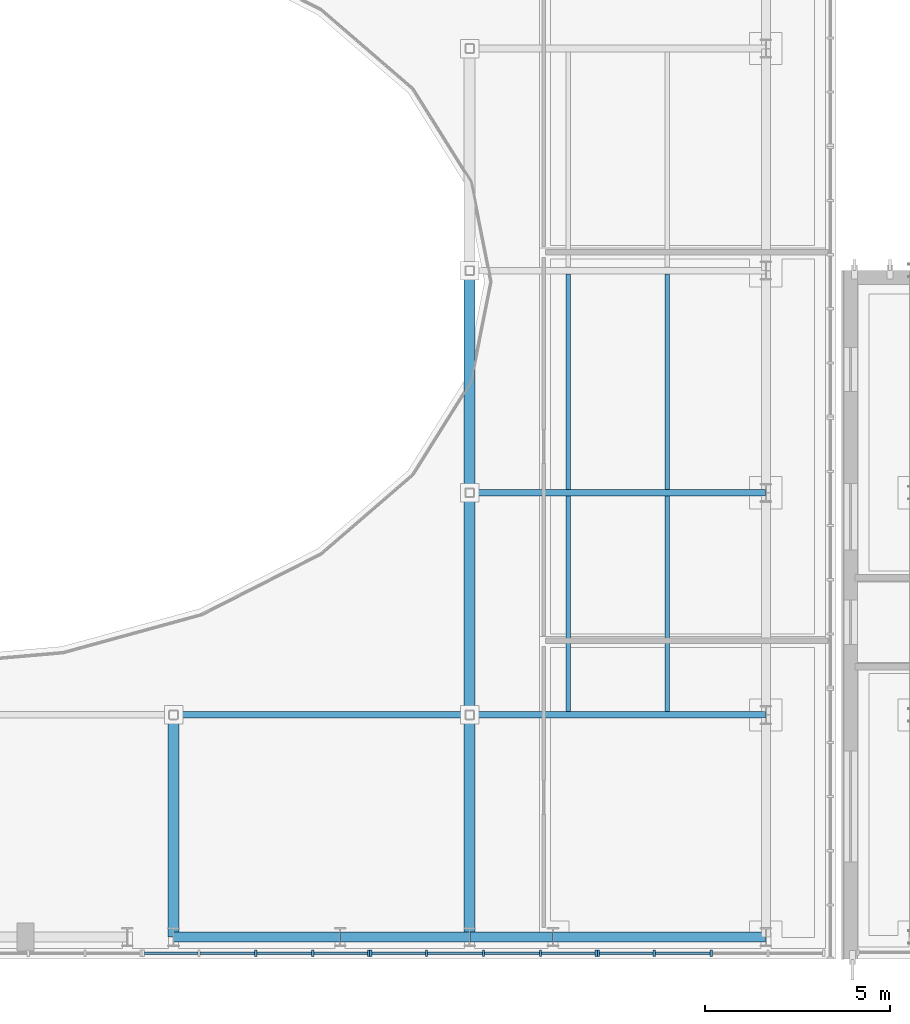
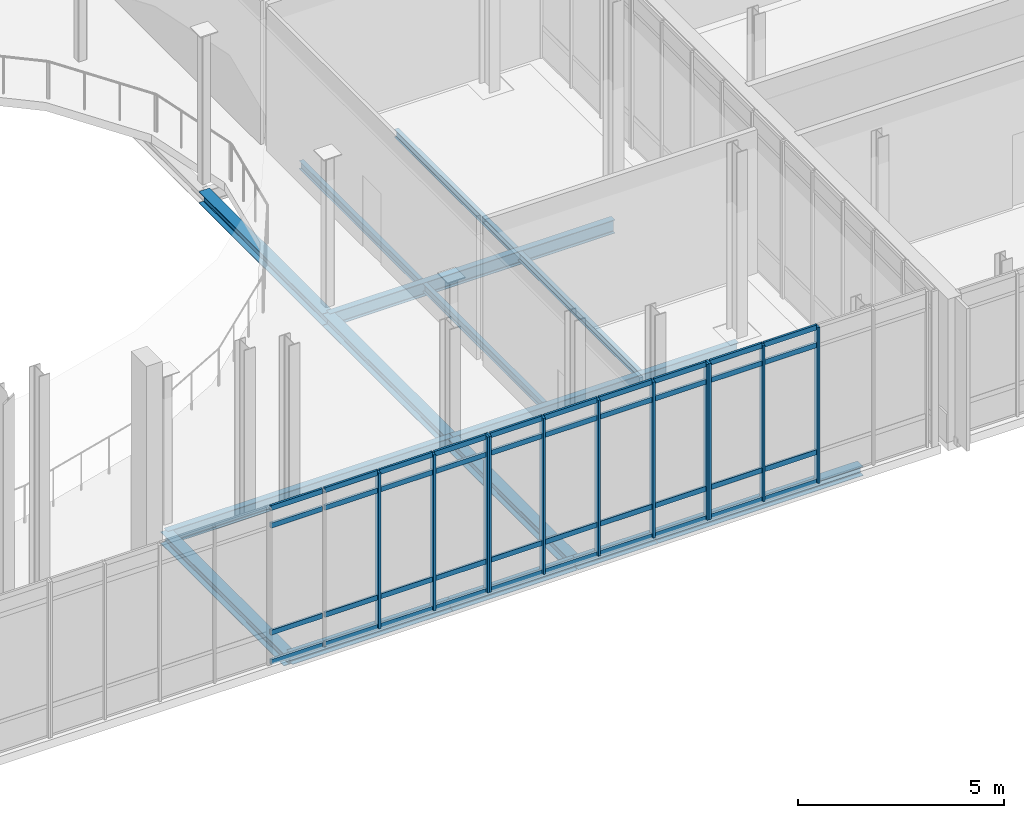
# One storey, part 23 of 86: 51 members, 15 beams, 3 elements without a shape of their own.
"""IFC4 building model written with IfcOpenShell, lengths in metres."""

from ifc_helpers import new_model, si_unit, direction, frame, origin, origin_2d, place, context, subcontext, project, spatial, rectangle, i_section, extrude, material, material_profile, profile_set, type_object, element, aggregate, save


model = new_model("IFC4")

# Units and contexts
model_context = context("Model", 3, precision=1e-05, world=origin(), true_north=direction((0.0, 1.0)))
body_context = subcontext(model_context, "Body", "Model", "MODEL_VIEW")
ifc_project = project(units=[si_unit("LENGTHUNIT", "METRE"), si_unit("AREAUNIT", "SQUARE_METRE"), si_unit("VOLUMEUNIT", "CUBIC_METRE"), si_unit("PLANEANGLEUNIT", "RADIAN"), si_unit("MASSUNIT", "GRAM", prefix="KILO")], contexts=[model_context])

# Site, building, storey
site_placement = place(None, origin())
site = spatial("IfcSite", under=ifc_project, at=site_placement, CompositionType="ELEMENT")
building_placement = place(site_placement, origin())
building = spatial("IfcBuilding", under=site, at=building_placement, Name="Cymarion Research Institute", CompositionType="ELEMENT")
storey_placement = place(building_placement, frame((0.0, 0.0, 13.800048828125)))
storey = spatial("IfcBuildingStorey", under=building, at=storey_placement, Name="L03", CompositionType="ELEMENT", Elevation=13.800048828125)

# Curtain wall, members
ifc_material_1 = material(Name="Anodised aluminium unitised curtain wall with Low-E glazing", Category="aluminium")
curtain_wall_type = type_object("IfcCurtainWallType", Name="UNITISED CURTAIN WALL CW27 6150X4620", PredefinedType="NOTDEFINED", material=ifc_material_1)
curtain_wall_1_placement = place(storey_placement, origin())
curtain_wall_1 = element("IfcCurtainWall", 1, at=curtain_wall_1_placement, inside=storey, type_object=curtain_wall_type, Name="L03 V2 unitised curtain wall CW27 #134", PredefinedType="NOTDEFINED")
ifc_material_2 = material(Name="Anodised aluminium framing", Category="aluminium")
ifc_material_profile_1 = material_profile(ifc_material_2, rectangle(XDim=0.06005859375, YDim=0.179931640625, at=origin_2d()), Name="ALU MULLION 60x180")
ifc_profile_set_1 = profile_set([ifc_material_profile_1], Name="Anodised aluminium framing")
member_type_1 = type_object("IfcMemberType", Name="CURTAIN WALL MULLION ML01 60X180", PredefinedType="MULLION", material=ifc_profile_set_1)
member_1_placement = place(storey_placement, frame((88.82421875, 5.06005859375, 0.0), z_axis=(0.0, 0.0, 1.0), x_axis=(1.0, 0.0, 0.0)))
member_1 = element("IfcMember", 2, at=member_1_placement, type_object=member_type_1, Name="CW27 mullion 3", PredefinedType="MULLION", context=body_context, shape_type="SweptSolid", body=[
    extrude(rectangle(XDim=0.06005859375, YDim=0.179931640625, at=origin_2d()), origin(), (0.0, 0.0, 1.0), 4.619873046875),
])
member_2_placement = place(storey_placement, frame((90.361572265625, 5.06005859375, 0.0), z_axis=(0.0, 0.0, 1.0), x_axis=(1.0, 0.0, 0.0)))
member_2 = element("IfcMember", 3, at=member_2_placement, type_object=member_type_1, Name="CW27 mullion 4", PredefinedType="MULLION", context=body_context, shape_type="SweptSolid", body=[
    extrude(rectangle(XDim=0.06005859375, YDim=0.179931640625, at=origin_2d()), origin(), (0.0, 0.0, 1.0), 4.619873046875),
])
member_3_placement = place(storey_placement, frame((91.868896484375, 5.06005859375, 0.0), z_axis=(0.0, 0.0, 1.0), x_axis=(1.0, 0.0, 0.0)))
member_3 = element("IfcMember", 4, at=member_3_placement, type_object=member_type_1, Name="CW27 mullion 5", PredefinedType="MULLION", context=body_context, shape_type="SweptSolid", body=[
    extrude(rectangle(XDim=0.06005859375, YDim=0.179931640625, at=origin_2d()), origin(), (0.0, 0.0, 1.0), 4.619873046875),
])

curtain_wall_2_placement = place(storey_placement, origin())
curtain_wall_2 = element("IfcCurtainWall", 5, at=curtain_wall_2_placement, inside=storey, type_object=curtain_wall_type, Name="L03 V2 unitised curtain wall CW27 #135", PredefinedType="NOTDEFINED")
member_4_placement = place(storey_placement, frame((91.928955078125, 5.06005859375, 0.0), z_axis=(0.0, 0.0, 1.0), x_axis=(1.0, 0.0, 0.0)))
member_4 = element("IfcMember", 6, at=member_4_placement, type_object=member_type_1, Name="CW27 mullion 1", PredefinedType="MULLION", context=body_context, shape_type="SweptSolid", body=[
    extrude(rectangle(XDim=0.06005859375, YDim=0.179931640625, at=origin_2d()), origin(), (0.0, 0.0, 1.0), 4.619873046875),
])
member_5_placement = place(storey_placement, frame((93.436279296875, 5.06005859375, 0.0), z_axis=(0.0, 0.0, 1.0), x_axis=(1.0, 0.0, 0.0)))
member_5 = element("IfcMember", 7, at=member_5_placement, type_object=member_type_1, Name="CW27 mullion 2", PredefinedType="MULLION", context=body_context, shape_type="SweptSolid", body=[
    extrude(rectangle(XDim=0.06005859375, YDim=0.179931640625, at=origin_2d()), origin(), (0.0, 0.0, 1.0), 4.619873046875),
])
member_6_placement = place(storey_placement, frame((94.9736328125, 5.06005859375, 0.0), z_axis=(0.0, 0.0, 1.0), x_axis=(1.0, 0.0, 0.0)))
member_6 = element("IfcMember", 8, at=member_6_placement, type_object=member_type_1, Name="CW27 mullion 3", PredefinedType="MULLION", context=body_context, shape_type="SweptSolid", body=[
    extrude(rectangle(XDim=0.06005859375, YDim=0.179931640625, at=origin_2d()), origin(), (0.0, 0.0, 1.0), 4.619873046875),
])
member_7_placement = place(storey_placement, frame((96.51123046875, 5.06005859375, 0.0), z_axis=(0.0, 0.0, 1.0), x_axis=(1.0, 0.0, 0.0)))
member_7 = element("IfcMember", 9, at=member_7_placement, type_object=member_type_1, Name="CW27 mullion 4", PredefinedType="MULLION", context=body_context, shape_type="SweptSolid", body=[
    extrude(rectangle(XDim=0.06005859375, YDim=0.179931640625, at=origin_2d()), origin(), (0.0, 0.0, 1.0), 4.619873046875),
])
member_8_placement = place(storey_placement, frame((98.0185546875, 5.06005859375, 0.0), z_axis=(0.0, 0.0, 1.0), x_axis=(1.0, 0.0, 0.0)))
member_8 = element("IfcMember", 10, at=member_8_placement, type_object=member_type_1, Name="CW27 mullion 5", PredefinedType="MULLION", context=body_context, shape_type="SweptSolid", body=[
    extrude(rectangle(XDim=0.06005859375, YDim=0.179931640625, at=origin_2d()), origin(), (0.0, 0.0, 1.0), 4.619873046875),
])

curtain_wall_3_placement = place(storey_placement, origin())
curtain_wall_3 = element("IfcCurtainWall", 11, at=curtain_wall_3_placement, inside=storey, type_object=curtain_wall_type, Name="L03 V2 unitised curtain wall CW27 #136", PredefinedType="NOTDEFINED")
member_9_placement = place(storey_placement, frame((98.07861328125, 5.06005859375, 0.0), z_axis=(0.0, 0.0, 1.0), x_axis=(1.0, 0.0, 0.0)))
member_9 = element("IfcMember", 12, at=member_9_placement, type_object=member_type_1, Name="CW27 mullion 1", PredefinedType="MULLION", context=body_context, shape_type="SweptSolid", body=[
    extrude(rectangle(XDim=0.06005859375, YDim=0.179931640625, at=origin_2d()), origin(), (0.0, 0.0, 1.0), 4.619873046875),
])
member_10_placement = place(storey_placement, frame((99.5859375, 5.06005859375, 0.0), z_axis=(0.0, 0.0, 1.0), x_axis=(1.0, 0.0, 0.0)))
member_10 = element("IfcMember", 13, at=member_10_placement, type_object=member_type_1, Name="CW27 mullion 2", PredefinedType="MULLION", context=body_context, shape_type="SweptSolid", body=[
    extrude(rectangle(XDim=0.06005859375, YDim=0.179931640625, at=origin_2d()), origin(), (0.0, 0.0, 1.0), 4.619873046875),
])
member_11_placement = place(storey_placement, frame((101.123291015625, 5.06005859375, 0.0), z_axis=(0.0, 0.0, 1.0), x_axis=(1.0, 0.0, 0.0)))
member_11 = element("IfcMember", 14, at=member_11_placement, type_object=member_type_1, Name="CW27 mullion 3", PredefinedType="MULLION", context=body_context, shape_type="SweptSolid", body=[
    extrude(rectangle(XDim=0.06005859375, YDim=0.179931640625, at=origin_2d()), origin(), (0.0, 0.0, 1.0), 4.619873046875),
])

# Member
ifc_material_profile_2 = material_profile(ifc_material_2, rectangle(XDim=0.06005859375, YDim=0.14990234375, at=origin_2d()), Name="ALU TRANSOM 60x150")
ifc_profile_set_2 = profile_set([ifc_material_profile_2], Name="Anodised aluminium framing")
member_type_2 = type_object("IfcMemberType", Name="CURTAIN WALL TRANSOM TR01 60X150", PredefinedType="USERDEFINED", material=ifc_profile_set_2)
member_12_placement = place(storey_placement, frame((85.8095703125, 5.06005859375, 0.030029296875), z_axis=(1.0, 0.0, 0.0), x_axis=(0.0, 1.0, 0.0)))
member_12 = element("IfcMember", 15, at=member_12_placement, type_object=member_type_2, Name="CW27 transom 1.1", ObjectType="TRANSOM", PredefinedType="USERDEFINED", context=body_context, shape_type="SweptSolid", body=[
    extrude(rectangle(XDim=0.06005859375, YDim=0.14990234375, at=origin_2d()), origin(), (0.0, 0.0, 1.0), 1.447265625),
])

member_13_placement = place(storey_placement, frame((85.8095703125, 5.06005859375, 0.89990234375), z_axis=(1.0, 0.0, 0.0), x_axis=(0.0, 1.0, 0.0)))
member_13 = element("IfcMember", 16, at=member_13_placement, type_object=member_type_2, Name="CW27 transom 1.2", ObjectType="TRANSOM", PredefinedType="USERDEFINED", context=body_context, shape_type="SweptSolid", body=[
    extrude(rectangle(XDim=0.06005859375, YDim=0.14990234375, at=origin_2d()), origin(), (0.0, 0.0, 1.0), 1.447265625),
])

member_14_placement = place(storey_placement, frame((85.8095703125, 5.06005859375, 4.070068359375), z_axis=(1.0, 0.0, 0.0), x_axis=(0.0, 1.0, 0.0)))
member_14 = element("IfcMember", 17, at=member_14_placement, type_object=member_type_2, Name="CW27 transom 1.3", ObjectType="TRANSOM", PredefinedType="USERDEFINED", context=body_context, shape_type="SweptSolid", body=[
    extrude(rectangle(XDim=0.06005859375, YDim=0.14990234375, at=origin_2d()), origin(), (0.0, 0.0, 1.0), 1.447265625),
])

member_15_placement = place(storey_placement, frame((85.8095703125, 5.06005859375, 4.58984375), z_axis=(1.0, 0.0, 0.0), x_axis=(0.0, 1.0, 0.0)))
member_15 = element("IfcMember", 18, at=member_15_placement, type_object=member_type_2, Name="CW27 transom 1.4", ObjectType="TRANSOM", PredefinedType="USERDEFINED", context=body_context, shape_type="SweptSolid", body=[
    extrude(rectangle(XDim=0.06005859375, YDim=0.14990234375, at=origin_2d()), origin(), (0.0, 0.0, 1.0), 1.447265625),
])

member_16_placement = place(storey_placement, frame((87.31689453125, 5.06005859375, 0.030029296875), z_axis=(1.0, 0.0, 0.0), x_axis=(0.0, 1.0, 0.0)))
member_16 = element("IfcMember", 19, at=member_16_placement, type_object=member_type_2, Name="CW27 transom 2.1", ObjectType="TRANSOM", PredefinedType="USERDEFINED", context=body_context, shape_type="SweptSolid", body=[
    extrude(rectangle(XDim=0.06005859375, YDim=0.14990234375, at=origin_2d()), origin(), (0.0, 0.0, 1.0), 1.477294921875),
])

member_17_placement = place(storey_placement, frame((87.31689453125, 5.06005859375, 0.89990234375), z_axis=(1.0, 0.0, 0.0), x_axis=(0.0, 1.0, 0.0)))
member_17 = element("IfcMember", 20, at=member_17_placement, type_object=member_type_2, Name="CW27 transom 2.2", ObjectType="TRANSOM", PredefinedType="USERDEFINED", context=body_context, shape_type="SweptSolid", body=[
    extrude(rectangle(XDim=0.06005859375, YDim=0.14990234375, at=origin_2d()), origin(), (0.0, 0.0, 1.0), 1.477294921875),
])

member_18_placement = place(storey_placement, frame((87.31689453125, 5.06005859375, 4.070068359375), z_axis=(1.0, 0.0, 0.0), x_axis=(0.0, 1.0, 0.0)))
member_18 = element("IfcMember", 21, at=member_18_placement, type_object=member_type_2, Name="CW27 transom 2.3", ObjectType="TRANSOM", PredefinedType="USERDEFINED", context=body_context, shape_type="SweptSolid", body=[
    extrude(rectangle(XDim=0.06005859375, YDim=0.14990234375, at=origin_2d()), origin(), (0.0, 0.0, 1.0), 1.477294921875),
])

member_19_placement = place(storey_placement, frame((87.31689453125, 5.06005859375, 4.58984375), z_axis=(1.0, 0.0, 0.0), x_axis=(0.0, 1.0, 0.0)))
member_19 = element("IfcMember", 22, at=member_19_placement, type_object=member_type_2, Name="CW27 transom 2.4", ObjectType="TRANSOM", PredefinedType="USERDEFINED", context=body_context, shape_type="SweptSolid", body=[
    extrude(rectangle(XDim=0.06005859375, YDim=0.14990234375, at=origin_2d()), origin(), (0.0, 0.0, 1.0), 1.477294921875),
])

member_20_placement = place(storey_placement, frame((88.854248046875, 5.06005859375, 0.030029296875), z_axis=(1.0, 0.0, 0.0), x_axis=(0.0, 1.0, 0.0)))
member_20 = element("IfcMember", 23, at=member_20_placement, type_object=member_type_2, Name="CW27 transom 3.1", ObjectType="TRANSOM", PredefinedType="USERDEFINED", context=body_context, shape_type="SweptSolid", body=[
    extrude(rectangle(XDim=0.06005859375, YDim=0.14990234375, at=origin_2d()), origin(), (0.0, 0.0, 1.0), 1.477294921875),
])

member_21_placement = place(storey_placement, frame((88.854248046875, 5.06005859375, 0.89990234375), z_axis=(1.0, 0.0, 0.0), x_axis=(0.0, 1.0, 0.0)))
member_21 = element("IfcMember", 24, at=member_21_placement, type_object=member_type_2, Name="CW27 transom 3.2", ObjectType="TRANSOM", PredefinedType="USERDEFINED", context=body_context, shape_type="SweptSolid", body=[
    extrude(rectangle(XDim=0.06005859375, YDim=0.14990234375, at=origin_2d()), origin(), (0.0, 0.0, 1.0), 1.477294921875),
])

member_22_placement = place(storey_placement, frame((88.854248046875, 5.06005859375, 4.070068359375), z_axis=(1.0, 0.0, 0.0), x_axis=(0.0, 1.0, 0.0)))
member_22 = element("IfcMember", 25, at=member_22_placement, type_object=member_type_2, Name="CW27 transom 3.3", ObjectType="TRANSOM", PredefinedType="USERDEFINED", context=body_context, shape_type="SweptSolid", body=[
    extrude(rectangle(XDim=0.06005859375, YDim=0.14990234375, at=origin_2d()), origin(), (0.0, 0.0, 1.0), 1.477294921875),
])

member_23_placement = place(storey_placement, frame((88.854248046875, 5.06005859375, 4.58984375), z_axis=(1.0, 0.0, 0.0), x_axis=(0.0, 1.0, 0.0)))
member_23 = element("IfcMember", 26, at=member_23_placement, type_object=member_type_2, Name="CW27 transom 3.4", ObjectType="TRANSOM", PredefinedType="USERDEFINED", context=body_context, shape_type="SweptSolid", body=[
    extrude(rectangle(XDim=0.06005859375, YDim=0.14990234375, at=origin_2d()), origin(), (0.0, 0.0, 1.0), 1.477294921875),
])

member_24_placement = place(storey_placement, frame((90.3916015625, 5.06005859375, 0.030029296875), z_axis=(1.0, 0.0, 0.0), x_axis=(0.0, 1.0, 0.0)))
member_24 = element("IfcMember", 27, at=member_24_placement, type_object=member_type_2, Name="CW27 transom 4.1", ObjectType="TRANSOM", PredefinedType="USERDEFINED", context=body_context, shape_type="SweptSolid", body=[
    extrude(rectangle(XDim=0.06005859375, YDim=0.14990234375, at=origin_2d()), origin(), (0.0, 0.0, 1.0), 1.447509765625),
])

member_25_placement = place(storey_placement, frame((90.3916015625, 5.06005859375, 0.89990234375), z_axis=(1.0, 0.0, 0.0), x_axis=(0.0, 1.0, 0.0)))
member_25 = element("IfcMember", 28, at=member_25_placement, type_object=member_type_2, Name="CW27 transom 4.2", ObjectType="TRANSOM", PredefinedType="USERDEFINED", context=body_context, shape_type="SweptSolid", body=[
    extrude(rectangle(XDim=0.06005859375, YDim=0.14990234375, at=origin_2d()), origin(), (0.0, 0.0, 1.0), 1.447509765625),
])

member_26_placement = place(storey_placement, frame((90.3916015625, 5.06005859375, 4.070068359375), z_axis=(1.0, 0.0, 0.0), x_axis=(0.0, 1.0, 0.0)))
member_26 = element("IfcMember", 29, at=member_26_placement, type_object=member_type_2, Name="CW27 transom 4.3", ObjectType="TRANSOM", PredefinedType="USERDEFINED", context=body_context, shape_type="SweptSolid", body=[
    extrude(rectangle(XDim=0.06005859375, YDim=0.14990234375, at=origin_2d()), origin(), (0.0, 0.0, 1.0), 1.447509765625),
])

member_27_placement = place(storey_placement, frame((90.3916015625, 5.06005859375, 4.58984375), z_axis=(1.0, 0.0, 0.0), x_axis=(0.0, 1.0, 0.0)))
member_27 = element("IfcMember", 30, at=member_27_placement, type_object=member_type_2, Name="CW27 transom 4.4", ObjectType="TRANSOM", PredefinedType="USERDEFINED", context=body_context, shape_type="SweptSolid", body=[
    extrude(rectangle(XDim=0.06005859375, YDim=0.14990234375, at=origin_2d()), origin(), (0.0, 0.0, 1.0), 1.447509765625),
])

aggregate(curtain_wall_1, [member_1, member_2, member_3, member_12, member_13, member_14, member_15, member_16, member_17, member_18, member_19, member_20, member_21, member_22, member_23, member_24, member_25, member_26, member_27])

member_28_placement = place(storey_placement, frame((91.958984375, 5.06005859375, 0.030029296875), z_axis=(1.0, 0.0, 0.0), x_axis=(0.0, 1.0, 0.0)))
member_28 = element("IfcMember", 31, at=member_28_placement, type_object=member_type_2, Name="CW27 transom 1.1", ObjectType="TRANSOM", PredefinedType="USERDEFINED", context=body_context, shape_type="SweptSolid", body=[
    extrude(rectangle(XDim=0.06005859375, YDim=0.14990234375, at=origin_2d()), origin(), (0.0, 0.0, 1.0), 1.447509765625),
])

member_29_placement = place(storey_placement, frame((91.958984375, 5.06005859375, 0.89990234375), z_axis=(1.0, 0.0, 0.0), x_axis=(0.0, 1.0, 0.0)))
member_29 = element("IfcMember", 32, at=member_29_placement, type_object=member_type_2, Name="CW27 transom 1.2", ObjectType="TRANSOM", PredefinedType="USERDEFINED", context=body_context, shape_type="SweptSolid", body=[
    extrude(rectangle(XDim=0.06005859375, YDim=0.14990234375, at=origin_2d()), origin(), (0.0, 0.0, 1.0), 1.447509765625),
])

member_30_placement = place(storey_placement, frame((91.958984375, 5.06005859375, 4.070068359375), z_axis=(1.0, 0.0, 0.0), x_axis=(0.0, 1.0, 0.0)))
member_30 = element("IfcMember", 33, at=member_30_placement, type_object=member_type_2, Name="CW27 transom 1.3", ObjectType="TRANSOM", PredefinedType="USERDEFINED", context=body_context, shape_type="SweptSolid", body=[
    extrude(rectangle(XDim=0.06005859375, YDim=0.14990234375, at=origin_2d()), origin(), (0.0, 0.0, 1.0), 1.447509765625),
])

member_31_placement = place(storey_placement, frame((91.958984375, 5.06005859375, 4.58984375), z_axis=(1.0, 0.0, 0.0), x_axis=(0.0, 1.0, 0.0)))
member_31 = element("IfcMember", 34, at=member_31_placement, type_object=member_type_2, Name="CW27 transom 1.4", ObjectType="TRANSOM", PredefinedType="USERDEFINED", context=body_context, shape_type="SweptSolid", body=[
    extrude(rectangle(XDim=0.06005859375, YDim=0.14990234375, at=origin_2d()), origin(), (0.0, 0.0, 1.0), 1.447509765625),
])

member_32_placement = place(storey_placement, frame((93.46630859375, 5.06005859375, 0.030029296875), z_axis=(1.0, 0.0, 0.0), x_axis=(0.0, 1.0, 0.0)))
member_32 = element("IfcMember", 35, at=member_32_placement, type_object=member_type_2, Name="CW27 transom 2.1", ObjectType="TRANSOM", PredefinedType="USERDEFINED", context=body_context, shape_type="SweptSolid", body=[
    extrude(rectangle(XDim=0.06005859375, YDim=0.14990234375, at=origin_2d()), origin(), (0.0, 0.0, 1.0), 1.4775390625),
])

member_33_placement = place(storey_placement, frame((93.46630859375, 5.06005859375, 0.89990234375), z_axis=(1.0, 0.0, 0.0), x_axis=(0.0, 1.0, 0.0)))
member_33 = element("IfcMember", 36, at=member_33_placement, type_object=member_type_2, Name="CW27 transom 2.2", ObjectType="TRANSOM", PredefinedType="USERDEFINED", context=body_context, shape_type="SweptSolid", body=[
    extrude(rectangle(XDim=0.06005859375, YDim=0.14990234375, at=origin_2d()), origin(), (0.0, 0.0, 1.0), 1.4775390625),
])

member_34_placement = place(storey_placement, frame((93.46630859375, 5.06005859375, 4.070068359375), z_axis=(1.0, 0.0, 0.0), x_axis=(0.0, 1.0, 0.0)))
member_34 = element("IfcMember", 37, at=member_34_placement, type_object=member_type_2, Name="CW27 transom 2.3", ObjectType="TRANSOM", PredefinedType="USERDEFINED", context=body_context, shape_type="SweptSolid", body=[
    extrude(rectangle(XDim=0.06005859375, YDim=0.14990234375, at=origin_2d()), origin(), (0.0, 0.0, 1.0), 1.4775390625),
])

member_35_placement = place(storey_placement, frame((93.46630859375, 5.06005859375, 4.58984375), z_axis=(1.0, 0.0, 0.0), x_axis=(0.0, 1.0, 0.0)))
member_35 = element("IfcMember", 38, at=member_35_placement, type_object=member_type_2, Name="CW27 transom 2.4", ObjectType="TRANSOM", PredefinedType="USERDEFINED", context=body_context, shape_type="SweptSolid", body=[
    extrude(rectangle(XDim=0.06005859375, YDim=0.14990234375, at=origin_2d()), origin(), (0.0, 0.0, 1.0), 1.4775390625),
])

member_36_placement = place(storey_placement, frame((95.003662109375, 5.06005859375, 0.030029296875), z_axis=(1.0, 0.0, 0.0), x_axis=(0.0, 1.0, 0.0)))
member_36 = element("IfcMember", 39, at=member_36_placement, type_object=member_type_2, Name="CW27 transom 3.1", ObjectType="TRANSOM", PredefinedType="USERDEFINED", context=body_context, shape_type="SweptSolid", body=[
    extrude(rectangle(XDim=0.06005859375, YDim=0.14990234375, at=origin_2d()), origin(), (0.0, 0.0, 1.0), 1.4775390625),
])

member_37_placement = place(storey_placement, frame((95.003662109375, 5.06005859375, 0.89990234375), z_axis=(1.0, 0.0, 0.0), x_axis=(0.0, 1.0, 0.0)))
member_37 = element("IfcMember", 40, at=member_37_placement, type_object=member_type_2, Name="CW27 transom 3.2", ObjectType="TRANSOM", PredefinedType="USERDEFINED", context=body_context, shape_type="SweptSolid", body=[
    extrude(rectangle(XDim=0.06005859375, YDim=0.14990234375, at=origin_2d()), origin(), (0.0, 0.0, 1.0), 1.4775390625),
])

member_38_placement = place(storey_placement, frame((95.003662109375, 5.06005859375, 4.070068359375), z_axis=(1.0, 0.0, 0.0), x_axis=(0.0, 1.0, 0.0)))
member_38 = element("IfcMember", 41, at=member_38_placement, type_object=member_type_2, Name="CW27 transom 3.3", ObjectType="TRANSOM", PredefinedType="USERDEFINED", context=body_context, shape_type="SweptSolid", body=[
    extrude(rectangle(XDim=0.06005859375, YDim=0.14990234375, at=origin_2d()), origin(), (0.0, 0.0, 1.0), 1.4775390625),
])

member_39_placement = place(storey_placement, frame((95.003662109375, 5.06005859375, 4.58984375), z_axis=(1.0, 0.0, 0.0), x_axis=(0.0, 1.0, 0.0)))
member_39 = element("IfcMember", 42, at=member_39_placement, type_object=member_type_2, Name="CW27 transom 3.4", ObjectType="TRANSOM", PredefinedType="USERDEFINED", context=body_context, shape_type="SweptSolid", body=[
    extrude(rectangle(XDim=0.06005859375, YDim=0.14990234375, at=origin_2d()), origin(), (0.0, 0.0, 1.0), 1.4775390625),
])

member_40_placement = place(storey_placement, frame((96.541015625, 5.06005859375, 0.030029296875), z_axis=(1.0, 0.0, 0.0), x_axis=(0.0, 1.0, 0.0)))
member_40 = element("IfcMember", 43, at=member_40_placement, type_object=member_type_2, Name="CW27 transom 4.1", ObjectType="TRANSOM", PredefinedType="USERDEFINED", context=body_context, shape_type="SweptSolid", body=[
    extrude(rectangle(XDim=0.06005859375, YDim=0.14990234375, at=origin_2d()), origin(), (0.0, 0.0, 1.0), 1.447509765625),
])

member_41_placement = place(storey_placement, frame((96.541015625, 5.06005859375, 0.89990234375), z_axis=(1.0, 0.0, 0.0), x_axis=(0.0, 1.0, 0.0)))
member_41 = element("IfcMember", 44, at=member_41_placement, type_object=member_type_2, Name="CW27 transom 4.2", ObjectType="TRANSOM", PredefinedType="USERDEFINED", context=body_context, shape_type="SweptSolid", body=[
    extrude(rectangle(XDim=0.06005859375, YDim=0.14990234375, at=origin_2d()), origin(), (0.0, 0.0, 1.0), 1.447509765625),
])

member_42_placement = place(storey_placement, frame((96.541015625, 5.06005859375, 4.070068359375), z_axis=(1.0, 0.0, 0.0), x_axis=(0.0, 1.0, 0.0)))
member_42 = element("IfcMember", 45, at=member_42_placement, type_object=member_type_2, Name="CW27 transom 4.3", ObjectType="TRANSOM", PredefinedType="USERDEFINED", context=body_context, shape_type="SweptSolid", body=[
    extrude(rectangle(XDim=0.06005859375, YDim=0.14990234375, at=origin_2d()), origin(), (0.0, 0.0, 1.0), 1.447509765625),
])

member_43_placement = place(storey_placement, frame((96.541015625, 5.06005859375, 4.58984375), z_axis=(1.0, 0.0, 0.0), x_axis=(0.0, 1.0, 0.0)))
member_43 = element("IfcMember", 46, at=member_43_placement, type_object=member_type_2, Name="CW27 transom 4.4", ObjectType="TRANSOM", PredefinedType="USERDEFINED", context=body_context, shape_type="SweptSolid", body=[
    extrude(rectangle(XDim=0.06005859375, YDim=0.14990234375, at=origin_2d()), origin(), (0.0, 0.0, 1.0), 1.447509765625),
])

aggregate(curtain_wall_2, [member_4, member_5, member_6, member_7, member_8, member_28, member_29, member_30, member_31, member_32, member_33, member_34, member_35, member_36, member_37, member_38, member_39, member_40, member_41, member_42, member_43])

member_44_placement = place(storey_placement, frame((98.1083984375, 5.06005859375, 0.030029296875), z_axis=(1.0, 0.0, 0.0), x_axis=(0.0, 1.0, 0.0)))
member_44 = element("IfcMember", 47, at=member_44_placement, type_object=member_type_2, Name="CW27 transom 1.1", ObjectType="TRANSOM", PredefinedType="USERDEFINED", context=body_context, shape_type="SweptSolid", body=[
    extrude(rectangle(XDim=0.06005859375, YDim=0.14990234375, at=origin_2d()), origin(), (0.0, 0.0, 1.0), 1.447509765625),
])

member_45_placement = place(storey_placement, frame((98.1083984375, 5.06005859375, 0.89990234375), z_axis=(1.0, 0.0, 0.0), x_axis=(0.0, 1.0, 0.0)))
member_45 = element("IfcMember", 48, at=member_45_placement, type_object=member_type_2, Name="CW27 transom 1.2", ObjectType="TRANSOM", PredefinedType="USERDEFINED", context=body_context, shape_type="SweptSolid", body=[
    extrude(rectangle(XDim=0.06005859375, YDim=0.14990234375, at=origin_2d()), origin(), (0.0, 0.0, 1.0), 1.447509765625),
])

member_46_placement = place(storey_placement, frame((98.1083984375, 5.06005859375, 4.070068359375), z_axis=(1.0, 0.0, 0.0), x_axis=(0.0, 1.0, 0.0)))
member_46 = element("IfcMember", 49, at=member_46_placement, type_object=member_type_2, Name="CW27 transom 1.3", ObjectType="TRANSOM", PredefinedType="USERDEFINED", context=body_context, shape_type="SweptSolid", body=[
    extrude(rectangle(XDim=0.06005859375, YDim=0.14990234375, at=origin_2d()), origin(), (0.0, 0.0, 1.0), 1.447509765625),
])

member_47_placement = place(storey_placement, frame((98.1083984375, 5.06005859375, 4.58984375), z_axis=(1.0, 0.0, 0.0), x_axis=(0.0, 1.0, 0.0)))
member_47 = element("IfcMember", 50, at=member_47_placement, type_object=member_type_2, Name="CW27 transom 1.4", ObjectType="TRANSOM", PredefinedType="USERDEFINED", context=body_context, shape_type="SweptSolid", body=[
    extrude(rectangle(XDim=0.06005859375, YDim=0.14990234375, at=origin_2d()), origin(), (0.0, 0.0, 1.0), 1.447509765625),
])

member_48_placement = place(storey_placement, frame((99.615966796875, 5.06005859375, 0.030029296875), z_axis=(1.0, 0.0, 0.0), x_axis=(0.0, 1.0, 0.0)))
member_48 = element("IfcMember", 51, at=member_48_placement, type_object=member_type_2, Name="CW27 transom 2.1", ObjectType="TRANSOM", PredefinedType="USERDEFINED", context=body_context, shape_type="SweptSolid", body=[
    extrude(rectangle(XDim=0.06005859375, YDim=0.14990234375, at=origin_2d()), origin(), (0.0, 0.0, 1.0), 1.477294921875),
])

member_49_placement = place(storey_placement, frame((99.615966796875, 5.06005859375, 0.89990234375), z_axis=(1.0, 0.0, 0.0), x_axis=(0.0, 1.0, 0.0)))
member_49 = element("IfcMember", 52, at=member_49_placement, type_object=member_type_2, Name="CW27 transom 2.2", ObjectType="TRANSOM", PredefinedType="USERDEFINED", context=body_context, shape_type="SweptSolid", body=[
    extrude(rectangle(XDim=0.06005859375, YDim=0.14990234375, at=origin_2d()), origin(), (0.0, 0.0, 1.0), 1.477294921875),
])

member_50_placement = place(storey_placement, frame((99.615966796875, 5.06005859375, 4.070068359375), z_axis=(1.0, 0.0, 0.0), x_axis=(0.0, 1.0, 0.0)))
member_50 = element("IfcMember", 53, at=member_50_placement, type_object=member_type_2, Name="CW27 transom 2.3", ObjectType="TRANSOM", PredefinedType="USERDEFINED", context=body_context, shape_type="SweptSolid", body=[
    extrude(rectangle(XDim=0.06005859375, YDim=0.14990234375, at=origin_2d()), origin(), (0.0, 0.0, 1.0), 1.477294921875),
])

member_51_placement = place(storey_placement, frame((99.615966796875, 5.06005859375, 4.58984375), z_axis=(1.0, 0.0, 0.0), x_axis=(0.0, 1.0, 0.0)))
member_51 = element("IfcMember", 54, at=member_51_placement, type_object=member_type_2, Name="CW27 transom 2.4", ObjectType="TRANSOM", PredefinedType="USERDEFINED", context=body_context, shape_type="SweptSolid", body=[
    extrude(rectangle(XDim=0.06005859375, YDim=0.14990234375, at=origin_2d()), origin(), (0.0, 0.0, 1.0), 1.477294921875),
])

aggregate(curtain_wall_3, [member_9, member_10, member_11, member_44, member_45, member_46, member_47, member_48, member_49, member_50, member_51])

# Beams
ifc_material_3 = material(Name="Steel S355", Category="steel")
ifc_material_profile_3 = material_profile(ifc_material_3, i_section(OverallWidth=0.179931640625, OverallDepth=0.39990234375, WebThickness=0.008544921875, FlangeThickness=0.013427734375, FilletRadius=0.02099609375, at=origin_2d()), Name="IPE 400")
ifc_profile_set_3 = profile_set([ifc_material_profile_3], Name="Steel S355")
beam_type_1 = type_object("IfcBeamType", Name="PRIMARY GIRDER BM05 IPE 400", PredefinedType="BEAM", material=ifc_profile_set_3)
for number, where, z_axis, x_axis, name in (
    (55, (86.60595703125, 11.5, -0.449951171875), (1.0, 0.0, 0.0), (0.0, 1.0, 0.0), "L03 V2 girder BM05 #1292"),
    (56, (94.60595703125, 11.5, -0.449951171875), (1.0, 0.0, 0.0), (0.0, 1.0, 0.0), "L03 V2 girder BM05 #1293"),
    (57, (94.60595703125, 17.5, -0.449951171875), (1.0, 0.0, 0.0), (0.0, 1.0, 0.0), "L03 V2 girder BM05 #1295"),
):
    element("IfcBeam", number, at=place(storey_placement, frame(where, z_axis=z_axis, x_axis=x_axis)), inside=storey, type_object=beam_type_1, Name=name, PredefinedType="BEAM", context=body_context, shape_type="SweptSolid", body=[
        extrude(i_section(OverallWidth=0.179931640625, OverallDepth=0.39990234375, WebThickness=0.008544921875, FlangeThickness=0.013427734375, FilletRadius=0.02099609375, at=origin_2d()), origin(), (0.0, 0.0, 1.0), 7.988037109375),
    ])
ifc_material_profile_4 = material_profile(ifc_material_3, i_section(OverallWidth=0.300048828125, OverallDepth=0.35009765625, WebThickness=0.010009765625, FlangeThickness=0.017578125, FilletRadius=0.027099609375, at=origin_2d()), Name="HEA 360")
ifc_profile_set_4 = profile_set([ifc_material_profile_4], Name="Steel S355")
beam_type_2 = type_object("IfcBeamType", Name="PRIMARY GIRDER BM12 HEA 360", PredefinedType="BEAM", material=ifc_profile_set_4)
for number, where, z_axis, x_axis, name in (
    (58, (86.60009765625, 5.506103515625, -0.425048828125), (0.0, 1.0, 0.0), (-1.0, 0.0, 0.0), "L03 V2 girder BM12 #1326"),
    (59, (94.60009765625, 5.506103515625, -0.425048828125), (0.0, 1.0, 0.0), (-1.0, 0.0, 0.0), "L03 V2 girder BM12 #1327"),
    (60, (94.60009765625, 11.506103515625, -0.425048828125), (0.0, 1.0, 0.0), (-1.0, 0.0, 0.0), "L03 V2 girder BM12 #1328"),
    (61, (94.60009765625, 17.506103515625, -0.425048828125), (0.0, 1.0, 0.0), (-1.0, 0.0, 0.0), "L03 V2 girder BM12 #1329"),
):
    element("IfcBeam", number, at=place(storey_placement, frame(where, z_axis=z_axis, x_axis=x_axis)), inside=storey, type_object=beam_type_2, Name=name, PredefinedType="BEAM", context=body_context, shape_type="SweptSolid", body=[
        extrude(i_section(OverallWidth=0.300048828125, OverallDepth=0.35009765625, WebThickness=0.010009765625, FlangeThickness=0.017578125, FilletRadius=0.027099609375, at=origin_2d()), origin(), (0.0, 0.0, 1.0), 5.98779296875),
    ])
ifc_material_profile_5 = material_profile(ifc_material_3, i_section(OverallWidth=0.1201171875, OverallDepth=0.239990234375, WebThickness=0.006103515625, FlangeThickness=0.009765625, FilletRadius=0.014892578125, at=origin_2d()), Name="IPE 240")
ifc_profile_set_5 = profile_set([ifc_material_profile_5], Name="Steel S355")
beam_type_3 = type_object("IfcBeamType", Name="SECONDARY JOIST JS04 IPE 240", PredefinedType="JOIST", material=ifc_profile_set_5)
for number, where, z_axis, x_axis, name in (
    (62, (97.2666015625, 11.593994140625, -0.3701171875), (0.0, 1.0, 0.0), (-1.0, 0.0, 0.0), "L03 V2 secondary joist JS04 #1338"),
    (63, (99.933349609375, 11.593994140625, -0.3701171875), (0.0, 1.0, 0.0), (-1.0, 0.0, 0.0), "L03 V2 secondary joist JS04 #1339"),
    (64, (97.2666015625, 17.593994140625, -0.3701171875), (0.0, 1.0, 0.0), (-1.0, 0.0, 0.0), "L03 V2 secondary joist JS04 #1341"),
    (65, (99.933349609375, 17.593994140625, -0.3701171875), (0.0, 1.0, 0.0), (-1.0, 0.0, 0.0), "L03 V2 secondary joist JS04 #1342"),
):
    element("IfcBeam", number, at=place(storey_placement, frame(where, z_axis=z_axis, x_axis=x_axis)), inside=storey, type_object=beam_type_3, Name=name, PredefinedType="JOIST", context=body_context, shape_type="SweptSolid", body=[
        extrude(i_section(OverallWidth=0.1201171875, OverallDepth=0.239990234375, WebThickness=0.006103515625, FlangeThickness=0.009765625, FilletRadius=0.014892578125, at=origin_2d()), origin(), (0.0, 0.0, 1.0), 5.81201171875),
    ])
ifc_material_profile_6 = material_profile(ifc_material_3, i_section(OverallWidth=0.280029296875, OverallDepth=0.27001953125, WebThickness=0.008056640625, FlangeThickness=0.012939453125, FilletRadius=0.02392578125, at=origin_2d()), Name="HEA 280")
ifc_profile_set_6 = profile_set([ifc_material_profile_6], Name="Steel S355")
beam_type_4 = type_object("IfcBeamType", Name="SPANDREL BEAM SPB02 HEA 280", PredefinedType="SPANDREL", material=ifc_profile_set_6)
beam_1_placement = place(storey_placement, frame((86.60595703125, 5.5, -0.385009765625), z_axis=(1.0, 0.0, 0.0), x_axis=(0.0, 1.0, 0.0)))
element("IfcBeam", 66, at=beam_1_placement, inside=storey, type_object=beam_type_4, Name="L03 V2 girder SPB02 #1284", PredefinedType="SPANDREL", context=body_context, shape_type="SweptSolid", body=[
    extrude(i_section(OverallWidth=0.280029296875, OverallDepth=0.27001953125, WebThickness=0.008056640625, FlangeThickness=0.012939453125, FilletRadius=0.02392578125, at=origin_2d()), origin(), (0.0, 0.0, 1.0), 4.488037109375),
])
beam_2_placement = place(storey_placement, frame((91.10595703125, 5.5, -0.385009765625), z_axis=(1.0, 0.0, 0.0), x_axis=(0.0, 1.0, 0.0)))
element("IfcBeam", 67, at=beam_2_placement, inside=storey, type_object=beam_type_4, Name="L03 V2 girder SPB02 #1285", PredefinedType="SPANDREL", context=body_context, shape_type="SweptSolid", body=[
    extrude(i_section(OverallWidth=0.280029296875, OverallDepth=0.27001953125, WebThickness=0.008056640625, FlangeThickness=0.012939453125, FilletRadius=0.02392578125, at=origin_2d()), origin(), (0.0, 0.0, 1.0), 3.488037109375),
])
beam_3_placement = place(storey_placement, frame((94.60595703125, 5.5, -0.385009765625), z_axis=(1.0, 0.0, 0.0), x_axis=(0.0, 1.0, 0.0)))
element("IfcBeam", 68, at=beam_3_placement, inside=storey, type_object=beam_type_4, Name="L03 V2 girder SPB02 #1286", PredefinedType="SPANDREL", context=body_context, shape_type="SweptSolid", body=[
    extrude(i_section(OverallWidth=0.280029296875, OverallDepth=0.27001953125, WebThickness=0.008056640625, FlangeThickness=0.012939453125, FilletRadius=0.02392578125, at=origin_2d()), origin(), (0.0, 0.0, 1.0), 2.238037109375),
])
beam_4_placement = place(storey_placement, frame((96.85595703125, 5.5, -0.385009765625), z_axis=(1.0, 0.0, 0.0), x_axis=(0.0, 1.0, 0.0)))
element("IfcBeam", 69, at=beam_4_placement, inside=storey, type_object=beam_type_4, Name="L03 V2 girder SPB02 #1287", PredefinedType="SPANDREL", context=body_context, shape_type="SweptSolid", body=[
    extrude(i_section(OverallWidth=0.280029296875, OverallDepth=0.27001953125, WebThickness=0.008056640625, FlangeThickness=0.012939453125, FilletRadius=0.02392578125, at=origin_2d()), origin(), (0.0, 0.0, 1.0), 5.738037109375),
])

save(model, "model.ifc")
